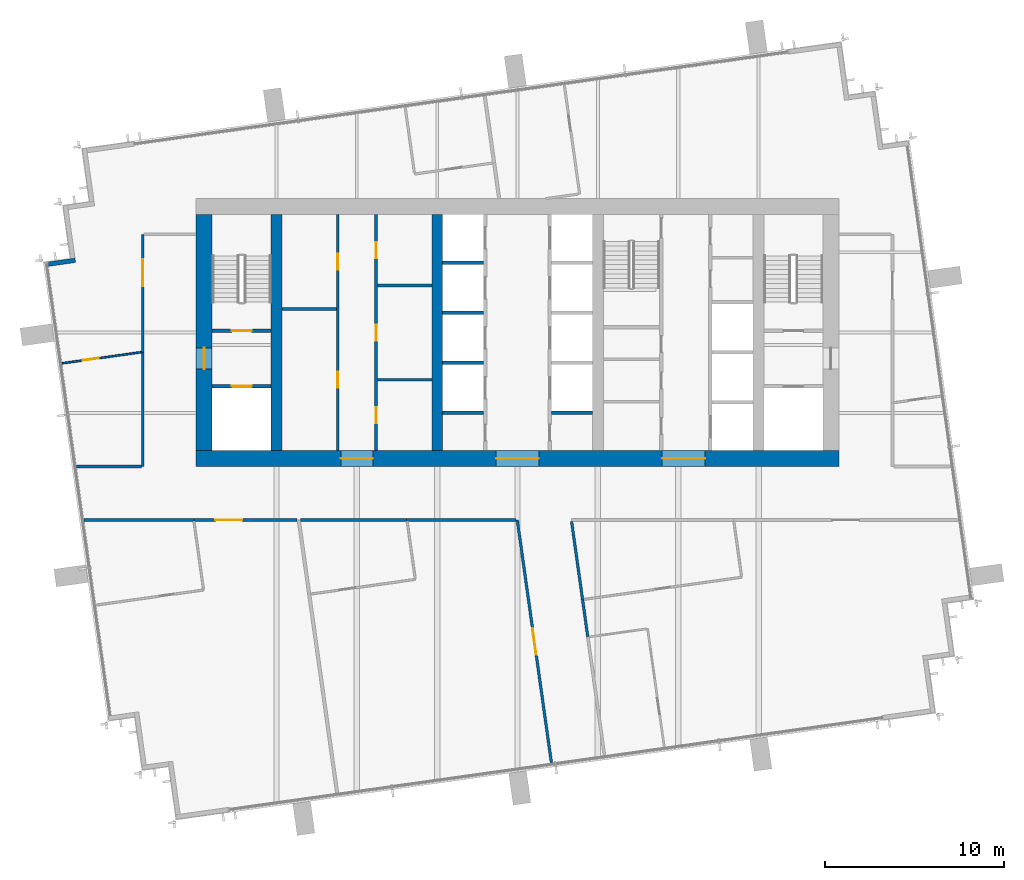
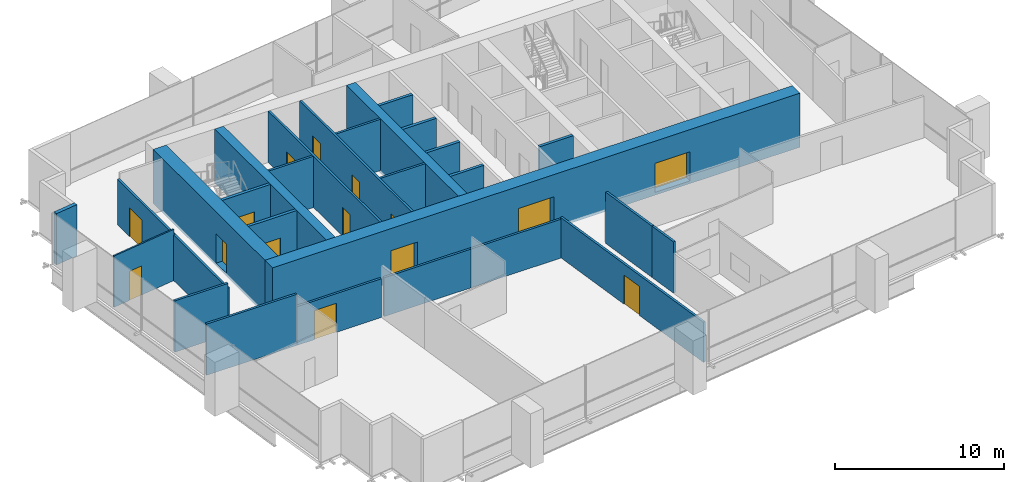
# One storey, part 8 of 12: 28 walls, 15 doors, 15 openings.
"""IFC4 building model written with IfcOpenShell, lengths in metres."""

from ifc_helpers import new_model, si_unit, direction, frame, frame_2d, origin, place, context, subcontext, project, spatial, rectangle, extrude, material, layer, layer_set, type_object, element, fill, save


model = new_model("IFC4")

# Units and contexts
model_context = context("Model", 3, precision=1e-05, world=origin(), true_north=direction((0.0, 1.0)))
body_context = subcontext(model_context, "Body", "Model", "MODEL_VIEW")
ifc_project = project(units=[si_unit("LENGTHUNIT", "METRE"), si_unit("AREAUNIT", "SQUARE_METRE"), si_unit("VOLUMEUNIT", "CUBIC_METRE"), si_unit("PLANEANGLEUNIT", "RADIAN"), si_unit("MASSUNIT", "GRAM", prefix="KILO")], contexts=[model_context])

# Site, building, storey
site_placement = place(None, origin())
site = spatial("IfcSite", under=ifc_project, at=site_placement, CompositionType="ELEMENT")
building_placement = place(site_placement, origin())
building = spatial("IfcBuilding", under=site, at=building_placement, Name="Rattan Terrace Tower", CompositionType="ELEMENT")
storey_placement = place(building_placement, frame((0.0, 0.0, 282.39990234375)))
storey = spatial("IfcBuildingStorey", under=building, at=storey_placement, Name="L65", CompositionType="ELEMENT", Elevation=282.39990234375)

# Wall, openings, doors
ifc_material_1 = material(Name="Gypsum board partition")
ifc_layer_1 = layer(ifc_material_1, 0.14990234375)
ifc_layer_set_1 = layer_set([ifc_layer_1], Name="Core partition 150")
wall_type_1 = type_object("IfcWallType", Name="Core partition 150", PredefinedType="PARTITIONING", material=ifc_layer_set_1)
wall_1_placement = place(storey_placement, frame((-10.074951171875, -6.60009765625, 0.0), z_axis=(0.0, 0.0, 1.0), x_axis=(0.0, 1.0, 0.0)))
wall_1 = element("IfcWall", 1, at=wall_1_placement, inside=storey, type_object=wall_type_1, Name="Core room wall", PredefinedType="PARTITIONING", context=body_context, shape_type="SweptSolid", body=[
    extrude(rectangle(XDim=13.2001953125, YDim=0.14990234375, at=frame_2d((6.60009765625, 0.0))), origin(), (0.0, 0.0, 1.0), 3.7001953125),
])
opening_1_placement = place(wall_1_placement, frame((3.510009765625, 0.0, 0.0)))
opening_1 = element("IfcOpeningElement", 2, at=opening_1_placement, cuts=wall_1, Name="Opening L65-D005", PredefinedType="OPENING", context=body_context, shape_type="SweptSolid", body=[
    extrude(rectangle(XDim=0.89990234375, YDim=2.10009765625, at=frame_2d((0.449951171875, 1.050048828125))), frame((0.0, 0.08544921875, 0.0), z_axis=(0.0, -1.0, 0.0), x_axis=(1.0, 0.0, 0.0)), (0.0, 0.0, 1.0), 0.1708984375),
])
opening_2_placement = place(wall_1_placement, frame((10.110107421875, 0.0, 0.0)))
opening_2 = element("IfcOpeningElement", 3, at=opening_2_placement, cuts=wall_1, Name="Opening L65-D006", PredefinedType="OPENING", context=body_context, shape_type="SweptSolid", body=[
    extrude(rectangle(XDim=0.89990234375, YDim=2.10009765625, at=frame_2d((0.449951171875, 1.050048828125))), frame((0.0, 0.08544921875, 0.0), z_axis=(0.0, -1.0, 0.0), x_axis=(1.0, 0.0, 0.0)), (0.0, 0.0, 1.0), 0.1708984375),
])
ifc_material_2 = material(Name="Hollow-metal fire door leaf")
door_type_1 = type_object("IfcDoorType", Name="Core service room door 900", OperationType="NOTDEFINED", PredefinedType="DOOR", material=ifc_material_2)
door_1_placement = place(opening_1_placement, origin())
door_1 = element("IfcDoor", 4, at=door_1_placement, inside=storey, type_object=door_type_1, Name="Door L65-D005", OperationType="SINGLE_SWING_RIGHT", OverallHeight=2.10009765625, OverallWidth=0.89990234375, PredefinedType="DOOR", context=body_context, shape_type="SweptSolid", body=[
    extrude(rectangle(XDim=0.89990234375, YDim=2.10009765625, at=frame_2d((0.449951171875, 1.050048828125))), frame((0.0, 0.02490234375, 0.0), z_axis=(0.0, -1.0, 0.0), x_axis=(1.0, 0.0, 0.0)), (0.0, 0.0, 1.0), 0.050048828125),
])
fill(opening_1, door_1)
door_2_placement = place(opening_2_placement, origin())
door_2 = element("IfcDoor", 5, at=door_2_placement, inside=storey, type_object=door_type_1, Name="Door L65-D006", OperationType="SINGLE_SWING_LEFT", OverallHeight=2.10009765625, OverallWidth=0.89990234375, PredefinedType="DOOR", context=body_context, shape_type="SweptSolid", body=[
    extrude(rectangle(XDim=0.89990234375, YDim=2.10009765625, at=frame_2d((0.449951171875, 1.050048828125))), frame((0.0, 0.02490234375, 0.0), z_axis=(0.0, -1.0, 0.0), x_axis=(1.0, 0.0, 0.0)), (0.0, 0.0, 1.0), 0.050048828125),
])
fill(opening_2, door_2)

# Wall
wall_2_placement = place(storey_placement, frame((-13.199951171875, 1.320068359375, 0.0), z_axis=(0.0, 0.0, 1.0), x_axis=(1.0, 0.0, 0.0)))
element("IfcWall", 6, at=wall_2_placement, inside=storey, type_object=wall_type_1, Name="Core room wall", PredefinedType="PARTITIONING", context=body_context, shape_type="SweptSolid", body=[
    extrude(rectangle(XDim=3.050048828125, YDim=0.14990234375, at=frame_2d((1.52490234375, 0.0))), origin(), (0.0, 0.0, 1.0), 3.7001953125),
])

# Wall, openings, doors
wall_3_placement = place(storey_placement, frame((-7.925048828125, -6.60009765625, 0.0), z_axis=(0.0, 0.0, 1.0), x_axis=(0.0, 1.0, 0.0)))
wall_3 = element("IfcWall", 7, at=wall_3_placement, inside=storey, type_object=wall_type_1, Name="Core room wall", PredefinedType="PARTITIONING", context=body_context, shape_type="SweptSolid", body=[
    extrude(rectangle(XDim=13.2001953125, YDim=0.14990234375, at=frame_2d((6.60009765625, 0.0))), origin(), (0.0, 0.0, 1.0), 3.7001953125),
])
opening_3_placement = place(wall_3_placement, frame((1.530029296875, 0.0, 0.0)))
opening_3 = element("IfcOpeningElement", 8, at=opening_3_placement, cuts=wall_3, Name="Opening L65-D007", PredefinedType="OPENING", context=body_context, shape_type="SweptSolid", body=[
    extrude(rectangle(XDim=0.89990234375, YDim=2.10009765625, at=frame_2d((0.449951171875, 1.050048828125))), frame((0.0, 0.08544921875, 0.0), z_axis=(0.0, -1.0, 0.0), x_axis=(1.0, 0.0, 0.0)), (0.0, 0.0, 1.0), 0.1708984375),
])
opening_4_placement = place(wall_3_placement, frame((6.14990234375, 0.0, 0.0)))
opening_4 = element("IfcOpeningElement", 9, at=opening_4_placement, cuts=wall_3, Name="Opening L65-D008", PredefinedType="OPENING", context=body_context, shape_type="SweptSolid", body=[
    extrude(rectangle(XDim=0.89990234375, YDim=2.10009765625, at=frame_2d((0.449951171875, 1.050048828125))), frame((0.0, 0.08544921875, 0.0), z_axis=(0.0, -1.0, 0.0), x_axis=(1.0, 0.0, 0.0)), (0.0, 0.0, 1.0), 0.1708984375),
])
opening_5_placement = place(wall_3_placement, frame((10.77001953125, 0.0, 0.0)))
opening_5 = element("IfcOpeningElement", 10, at=opening_5_placement, cuts=wall_3, Name="Opening L65-D009", PredefinedType="OPENING", context=body_context, shape_type="SweptSolid", body=[
    extrude(rectangle(XDim=0.89990234375, YDim=2.10009765625, at=frame_2d((0.449951171875, 1.050048828125))), frame((0.0, 0.08544921875, 0.0), z_axis=(0.0, -1.0, 0.0), x_axis=(1.0, 0.0, 0.0)), (0.0, 0.0, 1.0), 0.1708984375),
])
door_3_placement = place(opening_3_placement, origin())
door_3 = element("IfcDoor", 11, at=door_3_placement, inside=storey, type_object=door_type_1, Name="Door L65-D007", OperationType="SINGLE_SWING_RIGHT", OverallHeight=2.10009765625, OverallWidth=0.89990234375, PredefinedType="DOOR", context=body_context, shape_type="SweptSolid", body=[
    extrude(rectangle(XDim=0.89990234375, YDim=2.10009765625, at=frame_2d((0.449951171875, 1.050048828125))), frame((0.0, 0.02490234375, 0.0), z_axis=(0.0, -1.0, 0.0), x_axis=(1.0, 0.0, 0.0)), (0.0, 0.0, 1.0), 0.050048828125),
])
fill(opening_3, door_3)
door_4_placement = place(opening_4_placement, origin())
door_4 = element("IfcDoor", 12, at=door_4_placement, inside=storey, type_object=door_type_1, Name="Door L65-D008", OperationType="SINGLE_SWING_LEFT", OverallHeight=2.10009765625, OverallWidth=0.89990234375, PredefinedType="DOOR", context=body_context, shape_type="SweptSolid", body=[
    extrude(rectangle(XDim=0.89990234375, YDim=2.10009765625, at=frame_2d((0.449951171875, 1.050048828125))), frame((0.0, 0.02490234375, 0.0), z_axis=(0.0, -1.0, 0.0), x_axis=(1.0, 0.0, 0.0)), (0.0, 0.0, 1.0), 0.050048828125),
])
fill(opening_4, door_4)
door_5_placement = place(opening_5_placement, origin())
door_5 = element("IfcDoor", 13, at=door_5_placement, inside=storey, type_object=door_type_1, Name="Door L65-D009", OperationType="SINGLE_SWING_RIGHT", OverallHeight=2.10009765625, OverallWidth=0.89990234375, PredefinedType="DOOR", context=body_context, shape_type="SweptSolid", body=[
    extrude(rectangle(XDim=0.89990234375, YDim=2.10009765625, at=frame_2d((0.449951171875, 1.050048828125))), frame((0.0, 0.02490234375, 0.0), z_axis=(0.0, -1.0, 0.0), x_axis=(1.0, 0.0, 0.0)), (0.0, 0.0, 1.0), 0.050048828125),
])
fill(opening_5, door_5)

# Walls
for number, where, z_axis, x_axis, name in (
    (14, (-7.85009765625, -2.639892578125, 0.0), (0.0, 0.0, 1.0), (1.0, 0.0, 0.0), "Core room wall"),
    (15, (-7.85009765625, 2.639892578125, 0.0), (0.0, 0.0, 1.0), (1.0, 0.0, 0.0), "Core room wall"),
):
    element("IfcWall", number, at=place(storey_placement, frame(where, z_axis=z_axis, x_axis=x_axis)), inside=storey, type_object=wall_type_1, Name=name, PredefinedType="PARTITIONING", context=body_context, shape_type="SweptSolid", body=[
        extrude(rectangle(XDim=3.050048828125, YDim=0.14990234375, at=frame_2d((1.52490234375, 0.0))), origin(), (0.0, 0.0, 1.0), 3.7001953125),
    ])

# Wall, opening, door
ifc_material_3 = material(Name="Gypsum board partition")
ifc_layer_2 = layer(ifc_material_3, 0.199951171875)
ifc_layer_set_2 = layer_set([ifc_layer_2], Name="Core partition 200")
wall_type_2 = type_object("IfcWallType", Name="Core partition 200", PredefinedType="PARTITIONING", material=ifc_layer_set_2)
wall_4_placement = place(storey_placement, frame((-17.10009765625, -3.0, 0.0), z_axis=(0.0, 0.0, 1.0), x_axis=(1.0, 0.0, 0.0)))
wall_4 = element("IfcWall", 16, at=wall_4_placement, inside=storey, type_object=wall_type_2, Name="Fire-fighting lobby wall", PredefinedType="PARTITIONING", context=body_context, shape_type="SweptSolid", body=[
    extrude(rectangle(XDim=3.300048828125, YDim=0.199951171875, at=frame_2d((1.64990234375, 0.0))), origin(), (0.0, 0.0, 1.0), 3.7001953125),
])
opening_6_placement = place(wall_4_placement, frame((1.10009765625, 0.0, 0.0)))
opening_6 = element("IfcOpeningElement", 17, at=opening_6_placement, cuts=wall_4, Name="Opening L65-LD-FF1", PredefinedType="OPENING", context=body_context, shape_type="SweptSolid", body=[
    extrude(rectangle(XDim=1.10009765625, YDim=2.10009765625, at=frame_2d((0.550048828125, 1.050048828125))), frame((0.0, 0.110595703125, 0.0), z_axis=(0.0, -1.0, 0.0), x_axis=(1.0, 0.0, 0.0)), (0.0, 0.0, 1.0), 0.220947265625),
])
ifc_material_4 = material(Name="Brushed stainless landing door panel")
door_type_2 = type_object("IfcDoorType", Name="Core lift landing door 1100", OperationType="DOUBLE_DOOR_SLIDING", PredefinedType="DOOR", material=ifc_material_4)
door_6_placement = place(opening_6_placement, origin())
door_6 = element("IfcDoor", 18, at=door_6_placement, inside=storey, type_object=door_type_2, Name="Door L65-LD-FF1", OperationType="DOUBLE_DOOR_SLIDING", OverallHeight=2.10009765625, OverallWidth=1.10009765625, PredefinedType="DOOR", context=body_context, shape_type="SweptSolid", body=[
    extrude(rectangle(XDim=1.10009765625, YDim=2.10009765625, at=frame_2d((0.550048828125, 1.050048828125))), frame((0.0, 0.02490234375, 0.0), z_axis=(0.0, -1.0, 0.0), x_axis=(1.0, 0.0, 0.0)), (0.0, 0.0, 1.0), 0.050048828125),
])
fill(opening_6, door_6)

wall_5_placement = place(storey_placement, frame((-17.10009765625, 0.10009765625, 0.0), z_axis=(0.0, 0.0, 1.0), x_axis=(1.0, 0.0, 0.0)))
wall_5 = element("IfcWall", 19, at=wall_5_placement, inside=storey, type_object=wall_type_2, Name="Stair enclosure wall", PredefinedType="PARTITIONING", context=body_context, shape_type="SweptSolid", body=[
    extrude(rectangle(XDim=3.300048828125, YDim=0.199951171875, at=frame_2d((1.64990234375, 0.0))), origin(), (0.0, 0.0, 1.0), 3.7001953125),
])
opening_7_placement = place(wall_5_placement, frame((1.10009765625, 0.0, 0.0)))
opening_7 = element("IfcOpeningElement", 20, at=opening_7_placement, cuts=wall_5, Name="Opening L65-D002", PredefinedType="OPENING", context=body_context, shape_type="SweptSolid", body=[
    extrude(rectangle(XDim=1.10009765625, YDim=2.10009765625, at=frame_2d((0.550048828125, 1.050048828125))), frame((0.0, 0.110595703125, 0.0), z_axis=(0.0, -1.0, 0.0), x_axis=(1.0, 0.0, 0.0)), (0.0, 0.0, 1.0), 0.220947265625),
])
ifc_material_5 = material(Name="Hollow-metal fire door leaf")
door_type_3 = type_object("IfcDoorType", Name="Core stair door 1100", OperationType="NOTDEFINED", PredefinedType="DOOR", material=ifc_material_5)
door_7_placement = place(opening_7_placement, origin())
door_7 = element("IfcDoor", 21, at=door_7_placement, inside=storey, type_object=door_type_3, Name="Door L65-D002", OperationType="SINGLE_SWING_LEFT", OverallHeight=2.10009765625, OverallWidth=1.10009765625, PredefinedType="DOOR", context=body_context, shape_type="SweptSolid", body=[
    extrude(rectangle(XDim=1.10009765625, YDim=2.10009765625, at=frame_2d((0.550048828125, 1.050048828125))), frame((0.0, 0.02490234375, 0.0), z_axis=(0.0, -1.0, 0.0), x_axis=(1.0, 0.0, 0.0)), (0.0, 0.0, 1.0), 0.050048828125),
])
fill(opening_7, door_7)

# Wall, openings, doors
ifc_material_6 = material(Name="Concrete C50/60", Category="concrete")
ifc_layer_3 = layer(ifc_material_6, 0.89990234375)
ifc_layer_set_3 = layer_set([ifc_layer_3], Name="Core ring wall 900 C50/60")
wall_type_3 = type_object("IfcWallType", Name="Core ring wall 900 C50/60", PredefinedType="SHEAR", material=ifc_layer_set_3)
wall_6_placement = place(storey_placement, frame((-18.0, -7.050048828125, -0.199951171875), z_axis=(0.0, 0.0, 1.0), x_axis=(1.0, 0.0, 0.0)))
wall_6 = element("IfcWall", 22, at=wall_6_placement, inside=storey, type_object=wall_type_3, Name="Rear core wall south", PredefinedType="SHEAR", context=body_context, shape_type="SweptSolid", body=[
    extrude(rectangle(XDim=36.0, YDim=0.89990234375, at=frame_2d((18.0, 0.0))), origin(), (0.0, 0.0, 1.0), 3.900146484375),
])
opening_8_placement = place(wall_6_placement, frame((8.10009765625, 0.0, 0.199951171875)))
opening_8 = element("IfcOpeningElement", 23, at=opening_8_placement, cuts=wall_6, Name="Opening L65-D010", PredefinedType="OPENING", context=body_context, shape_type="SweptSolid", body=[
    extrude(rectangle(XDim=1.800048828125, YDim=2.10009765625, at=frame_2d((0.89990234375, 1.050048828125))), frame((0.0, 0.46044921875, 0.0), z_axis=(0.0, -1.0, 0.0), x_axis=(1.0, 0.0, 0.0)), (0.0, 0.0, 1.0), 0.9208984375),
])
opening_9_placement = place(wall_6_placement, frame((16.800048828125, 0.0, 0.199951171875)))
opening_9 = element("IfcOpeningElement", 24, at=opening_9_placement, cuts=wall_6, Name="Opening L65-D013", PredefinedType="OPENING", context=body_context, shape_type="SweptSolid", body=[
    extrude(rectangle(XDim=2.39990234375, YDim=2.10009765625, at=frame_2d((1.199951171875, 1.050048828125))), frame((0.0, 0.46044921875, 0.0), z_axis=(0.0, -1.0, 0.0), x_axis=(1.0, 0.0, 0.0)), (0.0, 0.0, 1.0), 0.9208984375),
])
opening_10_placement = place(wall_6_placement, frame((26.10009765625, 0.0, 0.199951171875)))
opening_10 = element("IfcOpeningElement", 25, at=opening_10_placement, cuts=wall_6, Name="Opening L65-D018", PredefinedType="OPENING", context=body_context, shape_type="SweptSolid", body=[
    extrude(rectangle(XDim=2.39990234375, YDim=2.10009765625, at=frame_2d((1.199951171875, 1.050048828125))), frame((0.0, 0.46044921875, 0.0), z_axis=(0.0, -1.0, 0.0), x_axis=(1.0, 0.0, 0.0)), (0.0, 0.0, 1.0), 0.9208984375),
])
ifc_material_7 = material(Name="Hollow-metal fire door leaf")
door_type_4 = type_object("IfcDoorType", Name="Core lift lobby door 2400", OperationType="NOTDEFINED", PredefinedType="DOOR", material=ifc_material_7)
door_8_placement = place(opening_9_placement, origin())
door_8 = element("IfcDoor", 26, at=door_8_placement, inside=storey, type_object=door_type_4, Name="Door L65-D013", OperationType="DOUBLE_DOOR_DOUBLE_SWING", OverallHeight=2.10009765625, OverallWidth=2.39990234375, PredefinedType="DOOR", context=body_context, shape_type="SweptSolid", body=[
    extrude(rectangle(XDim=2.39990234375, YDim=2.10009765625, at=frame_2d((1.199951171875, 1.050048828125))), frame((0.0, 0.02490234375, 0.0), z_axis=(0.0, -1.0, 0.0), x_axis=(1.0, 0.0, 0.0)), (0.0, 0.0, 1.0), 0.050048828125),
])
fill(opening_9, door_8)
door_9_placement = place(opening_10_placement, origin())
door_9 = element("IfcDoor", 27, at=door_9_placement, inside=storey, type_object=door_type_4, Name="Door L65-D018", OperationType="DOUBLE_DOOR_DOUBLE_SWING", OverallHeight=2.10009765625, OverallWidth=2.39990234375, PredefinedType="DOOR", context=body_context, shape_type="SweptSolid", body=[
    extrude(rectangle(XDim=2.39990234375, YDim=2.10009765625, at=frame_2d((1.199951171875, 1.050048828125))), frame((0.0, 0.02490234375, 0.0), z_axis=(0.0, -1.0, 0.0), x_axis=(1.0, 0.0, 0.0)), (0.0, 0.0, 1.0), 0.050048828125),
])
fill(opening_10, door_9)
ifc_material_8 = material(Name="Hollow-metal fire door leaf")
door_type_5 = type_object("IfcDoorType", Name="Core service room door 1800", OperationType="NOTDEFINED", PredefinedType="DOOR", material=ifc_material_8)
door_10_placement = place(opening_8_placement, origin())
door_10 = element("IfcDoor", 28, at=door_10_placement, inside=storey, type_object=door_type_5, Name="Door L65-D010", OperationType="SINGLE_SWING_LEFT", OverallHeight=2.10009765625, OverallWidth=1.800048828125, PredefinedType="DOOR", context=body_context, shape_type="SweptSolid", body=[
    extrude(rectangle(XDim=1.800048828125, YDim=2.10009765625, at=frame_2d((0.89990234375, 1.050048828125))), frame((0.0, 0.02490234375, 0.0), z_axis=(0.0, -1.0, 0.0), x_axis=(1.0, 0.0, 0.0)), (0.0, 0.0, 1.0), 0.050048828125),
])
fill(opening_8, door_10)

# Wall, opening, door
wall_7_placement = place(storey_placement, frame((-17.550048828125, -6.60009765625, -0.199951171875), z_axis=(0.0, 0.0, 1.0), x_axis=(0.0, 1.0, 0.0)))
wall_7 = element("IfcWall", 29, at=wall_7_placement, inside=storey, type_object=wall_type_3, Name="Rear core wall west", PredefinedType="SHEAR", context=body_context, shape_type="SweptSolid", body=[
    extrude(rectangle(XDim=13.2001953125, YDim=0.89990234375, at=frame_2d((6.60009765625, 0.0))), origin(), (0.0, 0.0, 1.0), 3.900146484375),
])
opening_11_placement = place(wall_7_placement, frame((4.550048828125, 0.0, 0.199951171875)))
opening_11 = element("IfcOpeningElement", 30, at=opening_11_placement, cuts=wall_7, Name="Opening L65-D001", PredefinedType="OPENING", context=body_context, shape_type="SweptSolid", body=[
    extrude(rectangle(XDim=1.199951171875, YDim=2.10009765625, at=frame_2d((0.60009765625, 1.050048828125))), frame((0.0, 0.46044921875, 0.0), z_axis=(0.0, -1.0, 0.0), x_axis=(1.0, 0.0, 0.0)), (0.0, 0.0, 1.0), 0.9208984375),
])
ifc_material_9 = material(Name="Hollow-metal fire door leaf")
door_type_6 = type_object("IfcDoorType", Name="Core fire-fighting lobby door 1200", OperationType="NOTDEFINED", PredefinedType="DOOR", material=ifc_material_9)
door_11_placement = place(opening_11_placement, origin())
door_11 = element("IfcDoor", 31, at=door_11_placement, inside=storey, type_object=door_type_6, Name="Door L65-D001", OperationType="SINGLE_SWING_RIGHT", OverallHeight=2.10009765625, OverallWidth=1.199951171875, PredefinedType="DOOR", context=body_context, shape_type="SweptSolid", body=[
    extrude(rectangle(XDim=1.199951171875, YDim=2.10009765625, at=frame_2d((0.60009765625, 1.050048828125))), frame((0.0, 0.02490234375, 0.0), z_axis=(0.0, -1.0, 0.0), x_axis=(1.0, 0.0, 0.0)), (0.0, 0.0, 1.0), 0.050048828125),
])
fill(opening_11, door_11)

# Walls
ifc_material_10 = material(Name="Concrete C50/60", Category="concrete")
ifc_layer_4 = layer(ifc_material_10, 0.60009765625)
ifc_layer_set_4 = layer_set([ifc_layer_4], Name="Core spine wall 600 C50/60")
wall_type_4 = type_object("IfcWallType", Name="Core spine wall 600 C50/60", PredefinedType="SHEAR", material=ifc_layer_set_4)
for number, where, z_axis, x_axis, name in (
    (32, (-13.5, -6.60009765625, -0.199951171875), (0.0, 0.0, 1.0), (0.0, 1.0, 0.0), "Core spine wall 1"),
    (33, (-4.5, -6.60009765625, -0.199951171875), (0.0, 0.0, 1.0), (0.0, 1.0, 0.0), "Core spine wall 2"),
):
    element("IfcWall", number, at=place(storey_placement, frame(where, z_axis=z_axis, x_axis=x_axis)), inside=storey, type_object=wall_type_4, Name=name, PredefinedType="SHEAR", context=body_context, shape_type="SweptSolid", body=[
        extrude(rectangle(XDim=13.2001953125, YDim=0.60009765625, at=frame_2d((6.60009765625, 0.0))), origin(), (0.0, 0.0, 1.0), 3.900146484375),
    ])
ifc_material_11 = material(Name="Insulated aluminium-clad stud wall", Category="aluminium")
ifc_layer_5 = layer(ifc_material_11, 0.25)
ifc_layer_set_5 = layer_set([ifc_layer_5], Name="Facade Riser Wall 250")
wall_type_5 = type_object("IfcWallType", Name="Facade Riser Wall 250", PredefinedType="SOLIDWALL", material=ifc_layer_set_5)
wall_8_placement = place(storey_placement, frame((-24.769287109375, 4.045654296875, 0.0), z_axis=(0.0, 0.0, 1.0), x_axis=(-0.990260716096, -0.139225407725, 0.0)))
element("IfcWall", 34, at=wall_8_placement, inside=storey, type_object=wall_type_5, Name="Riser wall L65-15", PredefinedType="SOLIDWALL", context=body_context, shape_type="SweptSolid", body=[
    extrude(rectangle(XDim=1.525634765625, YDim=0.25, at=frame_2d((0.7626953125, 0.0))), origin(), (0.0, 0.0, 1.0), 3.7001953125),
])

# Wall, opening, door
ifc_material_12 = material(Name="Gypsum board partition on steel studs", Category="steel")
ifc_layer_6 = layer(ifc_material_12, 0.10009765625)
ifc_layer_set_6 = layer_set([ifc_layer_6], Name="Floors Partition 100")
wall_type_6 = type_object("IfcWallType", Name="Floors Partition 100", PredefinedType="PARTITIONING", material=ifc_layer_set_6)
wall_9_placement = place(storey_placement, frame((-21.068115234375, -1.097900390625, 0.0), z_axis=(0.0, 0.0, 1.0), x_axis=(-0.990271353113, -0.139149729442, 0.0)))
wall_9 = element("IfcWall", 35, at=wall_9_placement, inside=storey, type_object=wall_type_6, Name="pt-L65-029", PredefinedType="PARTITIONING", context=body_context, shape_type="SweptSolid", body=[
    extrude(rectangle(XDim=4.484619140625, YDim=0.10009765625, at=frame_2d((2.2421875, 0.0))), origin(), (0.0, 0.0, 1.0), 3.7001953125),
])
opening_12_placement = place(wall_9_placement, frame((2.408935546875, 0.0, 0.0)))
opening_12 = element("IfcOpeningElement", 36, at=opening_12_placement, cuts=wall_9, Name="Opening L65-D108", PredefinedType="OPENING", context=body_context, shape_type="SweptSolid", body=[
    extrude(rectangle(XDim=0.89990234375, YDim=2.10009765625, at=frame_2d((0.449951171875, 1.050048828125))), frame((0.0, 0.060546875, 0.0), z_axis=(0.0, -1.0, 0.0), x_axis=(1.0, 0.0, 0.0)), (0.0, 0.0, 1.0), 0.12109375),
])
ifc_material_13 = material(Name="Solid core timber door, painted", Category="wood")
door_type_7 = type_object("IfcDoorType", Name="Floors Door 900x2100", OperationType="NOTDEFINED", PredefinedType="DOOR", material=ifc_material_13)
door_12_placement = place(opening_12_placement, origin())
door_12 = element("IfcDoor", 37, at=door_12_placement, inside=storey, type_object=door_type_7, Name="d-L65-108", OperationType="SINGLE_SWING_RIGHT", OverallHeight=2.10009765625, OverallWidth=0.89990234375, PredefinedType="DOOR", context=body_context, shape_type="SweptSolid", body=[
    extrude(rectangle(XDim=0.89990234375, YDim=2.10009765625, at=frame_2d((0.449951171875, 1.050048828125))), frame((0.0, 0.02490234375, 0.0), z_axis=(0.0, -1.0, 0.0), x_axis=(1.0, 0.0, 0.0)), (0.0, 0.0, 1.0), 0.050048828125),
])
fill(opening_12, door_12)

ifc_material_14 = material(Name="Gypsum board partition on steel studs, fire rated", Category="steel")
ifc_layer_7 = layer(ifc_material_14, 0.14990234375)
ifc_layer_set_7 = layer_set([ifc_layer_7], Name="Floors Tenancy Wall 150")
wall_type_7 = type_object("IfcWallType", Name="Floors Tenancy Wall 150", PredefinedType="PARTITIONING", material=ifc_layer_set_7)
wall_10_placement = place(storey_placement, frame((-12.342041015625, -10.5, 0.0), z_axis=(0.0, 0.0, 1.0), x_axis=(-1.0, 0.0, 0.0)))
wall_10 = element("IfcWall", 38, at=wall_10_placement, inside=storey, type_object=wall_type_7, Name="pt-L65-001", PredefinedType="PARTITIONING", context=body_context, shape_type="SweptSolid", body=[
    extrude(rectangle(XDim=5.77392578125, YDim=0.14990234375, at=frame_2d((2.886962890625, 0.0))), origin(), (0.0, 0.0, 1.0), 2.800048828125),
])
opening_13_placement = place(wall_10_placement, frame((3.080078125, 0.0, 0.0)))
opening_13 = element("IfcOpeningElement", 39, at=opening_13_placement, cuts=wall_10, Name="Opening L65-D100", PredefinedType="OPENING", context=body_context, shape_type="SweptSolid", body=[
    extrude(rectangle(XDim=1.5, YDim=2.10009765625, at=frame_2d((0.75, 1.050048828125))), frame((0.0, 0.08544921875, 0.0), z_axis=(0.0, -1.0, 0.0), x_axis=(1.0, 0.0, 0.0)), (0.0, 0.0, 1.0), 0.1708984375),
])
ifc_material_15 = material(Name="Steel fire door set", Category="steel")
door_type_8 = type_object("IfcDoorType", Name="Floors Unit Door Pair FD30S 1500x2100", OperationType="NOTDEFINED", PredefinedType="DOOR", material=ifc_material_15)
door_13_placement = place(opening_13_placement, origin())
door_13 = element("IfcDoor", 40, at=door_13_placement, inside=storey, type_object=door_type_8, Name="d-L65-100", OperationType="DOUBLE_DOOR_SINGLE_SWING", OverallHeight=2.10009765625, OverallWidth=1.5, PredefinedType="DOOR", context=body_context, shape_type="SweptSolid", body=[
    extrude(rectangle(XDim=1.5, YDim=2.10009765625, at=frame_2d((0.75, 1.050048828125))), frame((0.0, 0.02490234375, 0.0), z_axis=(0.0, -1.0, 0.0), x_axis=(1.0, 0.0, 0.0)), (0.0, 0.0, 1.0), 0.050048828125),
])
fill(opening_13, door_13)

# Walls
wall_11_placement = place(storey_placement, frame((-18.115966796875, -10.5, 0.0), z_axis=(0.0, 0.0, 1.0), x_axis=(-1.0, 0.0, 0.0)))
element("IfcWall", 41, at=wall_11_placement, inside=storey, type_object=wall_type_7, Name="pt-L65-002", PredefinedType="PARTITIONING", context=body_context, shape_type="SweptSolid", body=[
    extrude(rectangle(XDim=6.158935546875, YDim=0.14990234375, at=frame_2d((3.07958984375, 0.0))), origin(), (0.0, 0.0, 1.0), 3.7001953125),
])
wall_12_placement = place(storey_placement, frame((-0.089111328125, -10.5, 0.0), z_axis=(0.0, 0.0, 1.0), x_axis=(-1.0, 0.0, 0.0)))
element("IfcWall", 42, at=wall_12_placement, inside=storey, type_object=wall_type_7, Name="pt-L65-003", PredefinedType="PARTITIONING", context=body_context, shape_type="SweptSolid", body=[
    extrude(rectangle(XDim=6.125, YDim=0.14990234375, at=frame_2d((3.0625, 0.0))), origin(), (0.0, 0.0, 1.0), 2.800048828125),
])

# Wall, opening, door
wall_13_placement = place(storey_placement, frame((1.89501953125, -24.087890625, 0.0), z_axis=(0.0, 0.0, 1.0), x_axis=(-0.139191583649, 0.990265470993, 0.0)))
wall_13 = element("IfcWall", 43, at=wall_13_placement, inside=storey, type_object=wall_type_7, Name="pt-L65-004", PredefinedType="PARTITIONING", context=body_context, shape_type="SweptSolid", body=[
    extrude(rectangle(XDim=13.721435546875, YDim=0.14990234375, at=frame_2d((6.86083984375, 0.0))), origin(), (0.0, 0.0, 1.0), 2.900146484375),
])
opening_14_placement = place(wall_13_placement, frame((6.111083984375, 0.0, 0.0)))
opening_14 = element("IfcOpeningElement", 44, at=opening_14_placement, cuts=wall_13, Name="Opening L65-D102", PredefinedType="OPENING", context=body_context, shape_type="SweptSolid", body=[
    extrude(rectangle(XDim=1.5, YDim=2.10009765625, at=frame_2d((0.75, 1.050048828125))), frame((0.0, 0.08544921875, 0.0), z_axis=(0.0, -1.0, 0.0), x_axis=(1.0, 0.0, 0.0)), (0.0, 0.0, 1.0), 0.1708984375),
])
door_14_placement = place(opening_14_placement, origin())
door_14 = element("IfcDoor", 45, at=door_14_placement, inside=storey, type_object=door_type_8, Name="d-L65-102", OperationType="DOUBLE_DOOR_SINGLE_SWING", OverallHeight=2.10009765625, OverallWidth=1.5, PredefinedType="DOOR", context=body_context, shape_type="SweptSolid", body=[
    extrude(rectangle(XDim=1.5, YDim=2.10009765625, at=frame_2d((0.75, 1.050048828125))), frame((0.0, 0.02490234375, 0.0), z_axis=(0.0, -1.0, 0.0), x_axis=(1.0, 0.0, 0.0)), (0.0, 0.0, 1.0), 0.050048828125),
])
fill(opening_14, door_14)

# Walls
wall_14_placement = place(storey_placement, frame((-6.214111328125, -10.5, 0.0), z_axis=(0.0, 0.0, 1.0), x_axis=(-1.0, 0.0, 0.0)))
element("IfcWall", 46, at=wall_14_placement, inside=storey, type_object=wall_type_7, Name="pt-L65-005", PredefinedType="PARTITIONING", context=body_context, shape_type="SweptSolid", body=[
    extrude(rectangle(XDim=5.936767578125, YDim=0.14990234375, at=frame_2d((2.96826171875, 0.0))), origin(), (0.0, 0.0, 1.0), 2.800048828125),
])
wall_15_placement = place(storey_placement, frame((3.64404296875, -14.97607421875, 0.0), z_axis=(0.0, 0.0, 1.0), x_axis=(0.13897247285, -0.990296244459, 0.0)))
element("IfcWall", 47, at=wall_15_placement, inside=storey, type_object=wall_type_7, Name="pt-L65-006", PredefinedType="PARTITIONING", context=body_context, shape_type="SweptSolid", body=[
    extrude(rectangle(XDim=2.080078125, YDim=0.14990234375, at=frame_2d((1.0400390625, 0.0))), origin(), (0.0, 0.0, 1.0), 3.7001953125),
])
wall_16_placement = place(storey_placement, frame((3.027099609375, -10.5849609375, 0.0), z_axis=(0.0, 0.0, 1.0), x_axis=(0.139131664816, -0.990273891328, 0.0)))
element("IfcWall", 48, at=wall_16_placement, inside=storey, type_object=wall_type_7, Name="pt-L65-009", PredefinedType="PARTITIONING", context=body_context, shape_type="SweptSolid", body=[
    extrude(rectangle(XDim=4.434326171875, YDim=0.14990234375, at=frame_2d((2.21728515625, 0.0))), origin(), (0.0, 0.0, 1.0), 3.7001953125),
])

# Wall, opening, door
wall_17_placement = place(storey_placement, frame((-21.0, -1.10791015625, 0.0), z_axis=(0.0, 0.0, 1.0), x_axis=(0.0, 1.0, 0.0)))
wall_17 = element("IfcWall", 49, at=wall_17_placement, inside=storey, type_object=wall_type_7, Name="pt-L65-011", PredefinedType="PARTITIONING", context=body_context, shape_type="SweptSolid", body=[
    extrude(rectangle(XDim=6.60791015625, YDim=0.14990234375, at=frame_2d((3.303955078125, 0.0))), origin(), (0.0, 0.0, 1.0), 3.300048828125),
])
opening_15_placement = place(wall_17_placement, frame((3.7060546875, 0.0, 0.0)))
opening_15 = element("IfcOpeningElement", 50, at=opening_15_placement, cuts=wall_17, Name="Opening L65-D107", PredefinedType="OPENING", context=body_context, shape_type="SweptSolid", body=[
    extrude(rectangle(XDim=1.5, YDim=2.10009765625, at=frame_2d((0.75, 1.050048828125))), frame((0.0, 0.08544921875, 0.0), z_axis=(0.0, -1.0, 0.0), x_axis=(1.0, 0.0, 0.0)), (0.0, 0.0, 1.0), 0.1708984375),
])
door_15_placement = place(opening_15_placement, origin())
door_15 = element("IfcDoor", 51, at=door_15_placement, inside=storey, type_object=door_type_8, Name="d-L65-107", OperationType="DOUBLE_DOOR_SINGLE_SWING", OverallHeight=2.10009765625, OverallWidth=1.5, PredefinedType="DOOR", context=body_context, shape_type="SweptSolid", body=[
    extrude(rectangle(XDim=1.5, YDim=2.10009765625, at=frame_2d((0.75, 1.050048828125))), frame((0.0, 0.02490234375, 0.0), z_axis=(0.0, -1.0, 0.0), x_axis=(1.0, 0.0, 0.0)), (0.0, 0.0, 1.0), 0.050048828125),
])
fill(opening_15, door_15)

# Walls
wall_18_placement = place(storey_placement, frame((-24.696044921875, -7.5, 0.0), z_axis=(0.0, 0.0, 1.0), x_axis=(1.0, 0.0, 0.0)))
element("IfcWall", 52, at=wall_18_placement, inside=storey, type_object=wall_type_7, Name="pt-L65-013", PredefinedType="PARTITIONING", context=body_context, shape_type="SweptSolid", body=[
    extrude(rectangle(XDim=3.62109375, YDim=0.14990234375, at=frame_2d((1.810546875, 0.0))), origin(), (0.0, 0.0, 1.0), 3.7001953125),
])
wall_19_placement = place(storey_placement, frame((-21.0, -7.5, 0.0), z_axis=(0.0, 0.0, 1.0), x_axis=(0.0, 1.0, 0.0)))
element("IfcWall", 53, at=wall_19_placement, inside=storey, type_object=wall_type_7, Name="pt-L65-014", PredefinedType="PARTITIONING", context=body_context, shape_type="SweptSolid", body=[
    extrude(rectangle(XDim=6.39208984375, YDim=0.14990234375, at=frame_2d((3.196044921875, 0.0))), origin(), (0.0, 0.0, 1.0), 3.300048828125),
])
ifc_material_16 = material(Name="Gypsum shaft wall system")
ifc_layer_8 = layer(ifc_material_16, 0.199951171875)
ifc_layer_set_8 = layer_set([ifc_layer_8], Name="Lift shaft wall 200")
wall_type_8 = type_object("IfcWallType", Name="Lift shaft wall 200", PredefinedType="PARTITIONING", material=ifc_layer_set_8)
for number, where, z_axis, x_axis, name in (
    (54, (-4.199951171875, -1.699951171875, 0.0), (0.0, 0.0, 1.0), (1.0, 0.0, 0.0), "Lift shaft wall"),
    (55, (-4.199951171875, 1.10009765625, 0.0), (0.0, 0.0, 1.0), (1.0, 0.0, 0.0), "Lift shaft wall"),
    (56, (-4.199951171875, 3.89990234375, 0.0), (0.0, 0.0, 1.0), (1.0, 0.0, 0.0), "Lift shaft wall"),
    (57, (-4.199951171875, -4.5, 0.0), (0.0, 0.0, 1.0), (1.0, 0.0, 0.0), "Lift shaft wall"),
    (58, (1.89990234375, -4.5, 0.0), (0.0, 0.0, 1.0), (1.0, 0.0, 0.0), "Lift shaft wall"),
):
    element("IfcWall", number, at=place(storey_placement, frame(where, z_axis=z_axis, x_axis=x_axis)), inside=storey, type_object=wall_type_8, Name=name, PredefinedType="PARTITIONING", context=body_context, shape_type="SweptSolid", body=[
        extrude(rectangle(XDim=2.300048828125, YDim=0.199951171875, at=frame_2d((1.14990234375, 0.0))), origin(), (0.0, 0.0, 1.0), 3.7001953125),
    ])

save(model, "model.ifc")
